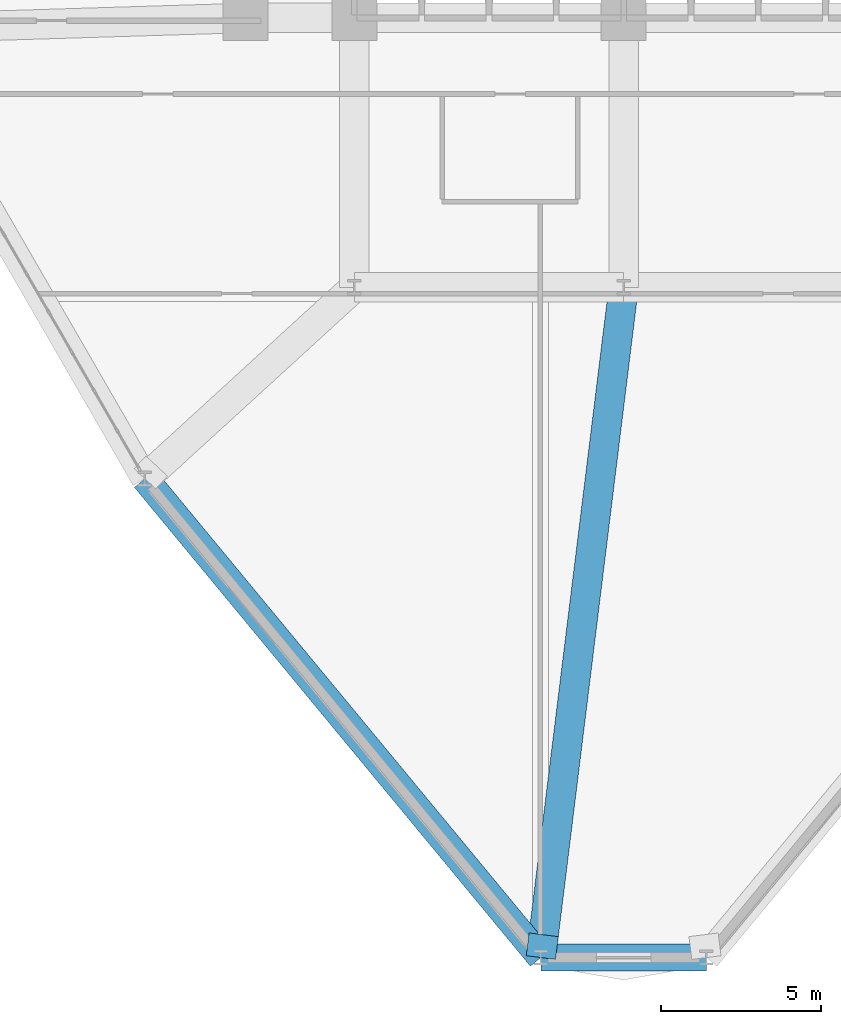
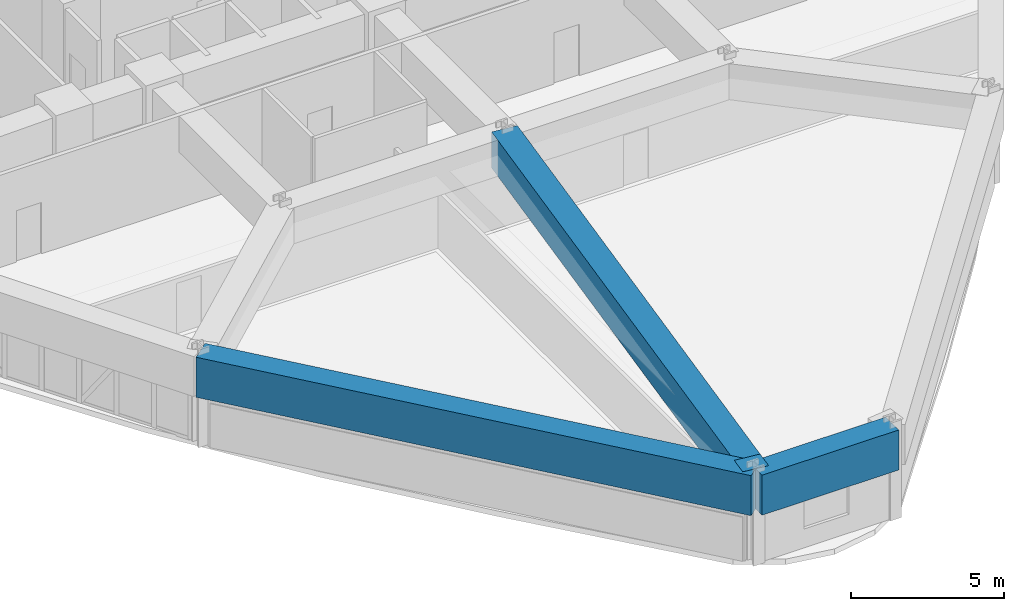
# One storey, part 3 of 20: 4 beams.
"""IFC4 building model written with IfcOpenShell, lengths in metres."""

from ifc_helpers import new_model, si_unit, derived_unit, direction, frame, origin, origin_2d, place, context, subcontext, project, spatial, rectangle, extrude, source, transform, mapped, material, material_profile, profile_set, type_object, element, save


model = new_model("IFC4")

# Units and contexts
model_context = context("Model", 3, precision=1e-05, world=origin(), true_north=direction((0.0, 1.0)))
body_context = subcontext(model_context, "Body", "Model", "MODEL_VIEW")
ifc_project = project(units=[si_unit("LENGTHUNIT", "METRE"), si_unit("AREAUNIT", "SQUARE_METRE"), si_unit("VOLUMEUNIT", "CUBIC_METRE"), si_unit("PLANEANGLEUNIT", "RADIAN"), si_unit("MASSUNIT", "GRAM", prefix="KILO"), derived_unit("THERMALTRANSMITTANCEUNIT", [(si_unit("POWERUNIT", "WATT"), 1), (si_unit("LENGTHUNIT", "METRE"), -2), (si_unit("THERMODYNAMICTEMPERATUREUNIT", "KELVIN"), -1)])], contexts=[model_context])

# Site, building, storey
site_placement = place(None, origin())
site = spatial("IfcSite", under=ifc_project, at=site_placement, CompositionType="ELEMENT")
building_placement = place(site_placement, origin())
building = spatial("IfcBuilding", under=site, at=building_placement, Name="Korsvarv Bourse and Concert Hall", CompositionType="ELEMENT")
storey_placement = place(building_placement, frame((0.0, 0.0, 31.800048828125)))
storey = spatial("IfcBuildingStorey", under=building, at=storey_placement, Name="L07", CompositionType="ELEMENT", Elevation=31.800048828125)

# Beams
ifc_material_1 = material(Name="Concrete C55/67", Category="concrete")
ifc_material_profile_1 = material_profile(ifc_material_1, rectangle(XDim=0.85009765625, YDim=1.60009765625, at=origin_2d()), Name="RC-BM 850x1600")
ifc_profile_set_1 = profile_set([ifc_material_profile_1], Name="Concrete C55/67")
beam_type_1 = type_object("IfcBeamType", Name="BM-TR1B", PredefinedType="BEAM", material=ifc_profile_set_1)
shared_shape_1 = source(origin(), body_context, "Body", "SweptSolid", [
    extrude(rectangle(XDim=0.85009765625, YDim=1.60009765625, at=origin_2d()), origin(), (0.0, 0.0, 1.0), 5.16357421875),
])
beam_1_placement = place(storey_placement, frame((33.418212890625, 3.09375, 2.8798828125), z_axis=(1.0, 0.0, 0.0), x_axis=(0.0, 1.0, 0.0)))
element("IfcBeam", 1, at=beam_1_placement, inside=storey, type_object=beam_type_1, Name="L07 beam B-TR2", PredefinedType="BEAM", context=body_context, shape_type="MappedRepresentation", body=[
    mapped(shared_shape_1, transform((0.0, 0.0, 0.0), scale=1.0)),
])
shared_shape_2 = source(origin(), body_context, "Body", "SweptSolid", [
    extrude(rectangle(XDim=0.85009765625, YDim=1.60009765625, at=origin_2d()), origin(), (0.0, 0.0, 1.0), 19.380126953125),
])
beam_2_placement = place(storey_placement, frame((21.06787109375, 18.02880859375, 2.8798828125), z_axis=(0.637270402598, -0.770640275338, 0.0), x_axis=(0.770640275338, 0.637270402598, 0.0)))
element("IfcBeam", 2, at=beam_2_placement, inside=storey, type_object=beam_type_1, Name="L07 beam B-TR2", PredefinedType="BEAM", context=body_context, shape_type="MappedRepresentation", body=[
    mapped(shared_shape_2, transform((0.0, 0.0, 0.0), scale=1.0)),
])
ifc_material_2 = material(Name="Concrete C50/60", Category="concrete")
ifc_material_profile_2 = material_profile(ifc_material_2, rectangle(XDim=0.919921875, YDim=1.43994140625, at=origin_2d()), Name="RC-BM 920x1440")
ifc_profile_set_2 = profile_set([ifc_material_profile_2], Name="Concrete C50/60")
beam_type_2 = type_object("IfcBeamType", Name="BM-TR-144", PredefinedType="BEAM", material=ifc_profile_set_2)
shared_shape_3 = source(origin(), body_context, "Body", "SweptSolid", [
    extrude(rectangle(XDim=0.919921875, YDim=1.43994140625, at=origin_2d()), origin(), (0.0, 0.0, 1.0), 21.065185546875),
])
beam_3_placement = place(storey_placement, frame((33.418212890625, 3.09375, 2.9599609375), z_axis=(0.122562510678, 0.992460795687, 0.0), x_axis=(-0.992460795687, 0.122562510678, 0.0)))
element("IfcBeam", 3, at=beam_3_placement, inside=storey, type_object=beam_type_2, Name="L07 beam B-TR4", PredefinedType="BEAM", context=body_context, shape_type="MappedRepresentation", body=[
    mapped(shared_shape_3, transform((0.0, 0.0, 0.0), scale=1.0)),
])
shared_shape_4 = source(origin(), body_context, "Body", "SweptSolid", [
    extrude(rectangle(XDim=0.919921875, YDim=1.43994140625, at=origin_2d()), origin(), (0.0, 0.0, 1.0), 0.71484375),
])
beam_4_placement = place(storey_placement, frame((33.418212890625, 3.09375, 2.9599609375), z_axis=(0.124328998955, 0.992241049352, 0.0), x_axis=(-0.992241049352, 0.124328998955, 0.0)))
element("IfcBeam", 4, at=beam_4_placement, inside=storey, type_object=beam_type_2, Name="L07 beam B-TR4", PredefinedType="BEAM", context=body_context, shape_type="MappedRepresentation", body=[
    mapped(shared_shape_4, transform((0.0, 0.0, 0.0), scale=1.0)),
])

save(model, "model.ifc")
